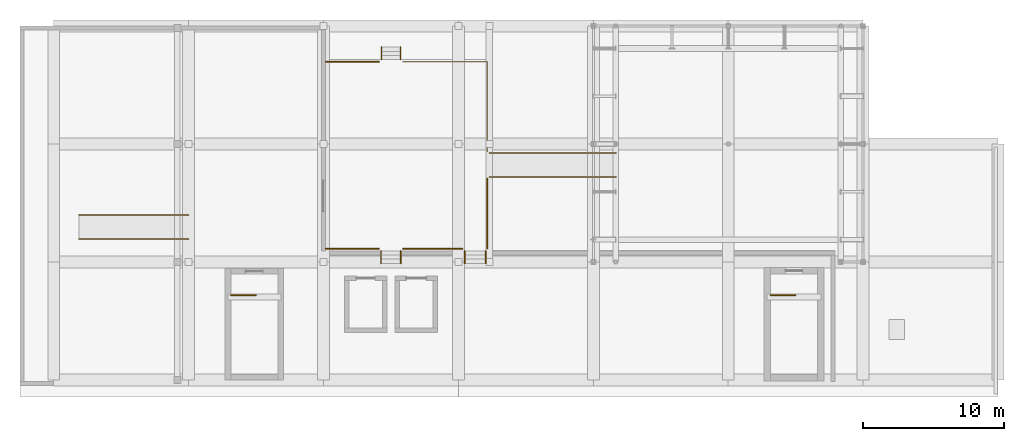
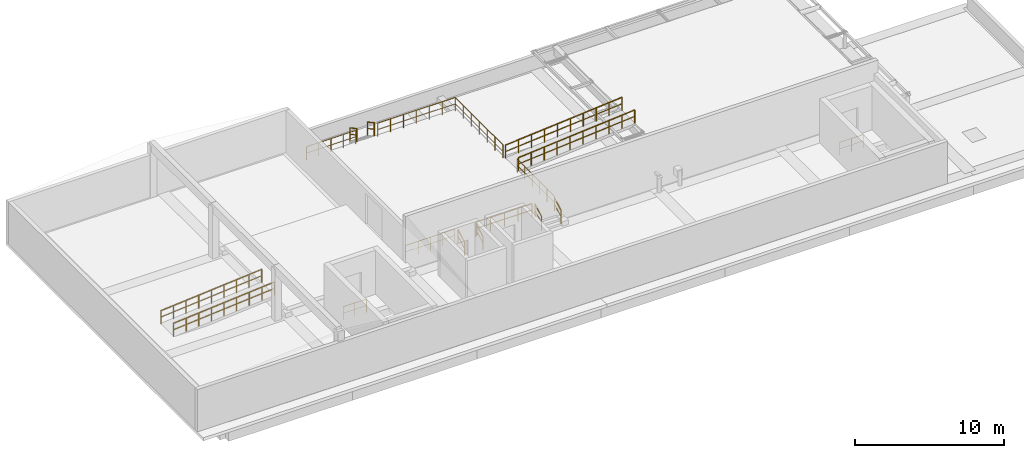
# One storey, part 8 of 8: 17 railings.
"""IFC4 building model written with IfcOpenShell, lengths in metres."""

from ifc_helpers import new_model, si_unit, direction, frame, origin, origin_2d, place, context, subcontext, project, spatial, circle, extrude, material, type_object, element, save


model = new_model("IFC4")

# Units and contexts
model_context = context("Model", 3, precision=1e-05, world=origin(), true_north=direction((0.0, 1.0)))
body_context = subcontext(model_context, "Body", "Model", "MODEL_VIEW")
ifc_project = project(units=[si_unit("LENGTHUNIT", "METRE"), si_unit("AREAUNIT", "SQUARE_METRE"), si_unit("VOLUMEUNIT", "CUBIC_METRE"), si_unit("PLANEANGLEUNIT", "RADIAN"), si_unit("MASSUNIT", "GRAM", prefix="KILO")], contexts=[model_context])

# Site, building, storey
site_placement = place(None, origin())
site = spatial("IfcSite", under=ifc_project, at=site_placement, CompositionType="ELEMENT")
building_placement = place(site_placement, origin())
building = spatial("IfcBuilding", under=site, at=building_placement, Name="Oolite Switchyard Hospital", CompositionType="ELEMENT")
storey_placement = place(building_placement, frame((0.0, 0.0, 34.60009765625)))
storey = spatial("IfcBuildingStorey", under=building, at=storey_placement, Name="RF", CompositionType="ELEMENT", Elevation=34.60009765625)

# Railings
ifc_material_1 = material(Name="Galvanized painted architectural steel guardrail", Category="steel")
railing_type_1 = type_object("IfcRailingType", Name="RL-GUARD-110", PredefinedType="GUARDRAIL", material=ifc_material_1)
railing_1_placement = place(storey_placement, frame((163.35009765625, 131.85009765625, 0.64990234375)))
element("IfcRailing", 1, at=railing_1_placement, inside=storey, type_object=railing_type_1, Name="RF Terrace Perimeter Guard 11", PredefinedType="GUARDRAIL", context=body_context, shape_type="SweptSolid", body=[
    extrude(circle(Radius=0.02392578125, at=origin_2d()), frame((0.0, 0.0, 1.076171875), z_axis=(1.0, 0.0, 0.0), x_axis=(0.0, 1.0, 0.0)), (0.0, 0.0, 1.0), 3.7998046875),
    extrude(circle(Radius=0.015625, at=origin_2d()), frame((0.0, 0.0, 0.550048828125), z_axis=(1.0, 0.0, 0.0), x_axis=(0.0, 1.0, 0.0)), (0.0, 0.0, 1.0), 3.7998046875),
    extrude(circle(Radius=0.02099609375, at=origin_2d()), origin(), (0.0, 0.0, 1.0), 1.052001953125),
    extrude(circle(Radius=0.02099609375, at=origin_2d()), frame((0.949951171875, 0.0, 0.0)), (0.0, 0.0, 1.0), 1.052001953125),
    extrude(circle(Radius=0.02099609375, at=origin_2d()), frame((1.89990234375, 0.0, 0.0)), (0.0, 0.0, 1.0), 1.052001953125),
    extrude(circle(Radius=0.02099609375, at=origin_2d()), frame((2.849853515625, 0.0, 0.0)), (0.0, 0.0, 1.0), 1.052001953125),
    extrude(circle(Radius=0.02099609375, at=origin_2d()), frame((3.7998046875, 0.0, 0.0)), (0.0, 0.0, 1.0), 1.052001953125),
])
railing_2_placement = place(storey_placement, frame((168.85009765625, 131.85009765625, 0.64990234375)))
element("IfcRailing", 2, at=railing_2_placement, inside=storey, type_object=railing_type_1, Name="RF Terrace Perimeter Guard 12", PredefinedType="GUARDRAIL", context=body_context, shape_type="SweptSolid", body=[
    extrude(circle(Radius=0.02392578125, at=origin_2d()), frame((0.0, 0.0, 1.076171875), z_axis=(1.0, 0.0, 0.0), x_axis=(0.0, 1.0, 0.0)), (0.0, 0.0, 1.0), 6.0),
    extrude(circle(Radius=0.015625, at=origin_2d()), frame((0.0, 0.0, 0.550048828125), z_axis=(1.0, 0.0, 0.0), x_axis=(0.0, 1.0, 0.0)), (0.0, 0.0, 1.0), 6.0),
    extrude(circle(Radius=0.02392578125, at=origin_2d()), frame((6.0, 0.0, 1.076171875), z_axis=(0.0, -1.0, 0.0), x_axis=(1.0, 0.0, 0.0)), (0.0, 0.0, 1.0), 6.400146484375),
    extrude(circle(Radius=0.015625, at=origin_2d()), frame((6.0, 0.0, 0.550048828125), z_axis=(0.0, -1.0, 0.0), x_axis=(1.0, 0.0, 0.0)), (0.0, 0.0, 1.0), 6.400146484375),
    extrude(circle(Radius=0.02099609375, at=origin_2d()), origin(), (0.0, 0.0, 1.0), 1.052001953125),
    extrude(circle(Radius=0.02099609375, at=origin_2d()), frame((1.0, 0.0, 0.0)), (0.0, 0.0, 1.0), 1.052001953125),
    extrude(circle(Radius=0.02099609375, at=origin_2d()), frame((2.0, 0.0, 0.0)), (0.0, 0.0, 1.0), 1.052001953125),
    extrude(circle(Radius=0.02099609375, at=origin_2d()), frame((3.0, 0.0, 0.0)), (0.0, 0.0, 1.0), 1.052001953125),
    extrude(circle(Radius=0.02099609375, at=origin_2d()), frame((4.0, 0.0, 0.0)), (0.0, 0.0, 1.0), 1.052001953125),
    extrude(circle(Radius=0.02099609375, at=origin_2d()), frame((5.0, 0.0, 0.0)), (0.0, 0.0, 1.0), 1.052001953125),
    extrude(circle(Radius=0.02099609375, at=origin_2d()), frame((6.0, 0.0, 0.0)), (0.0, 0.0, 1.0), 1.052001953125),
    extrude(circle(Radius=0.02099609375, at=origin_2d()), frame((6.0, -1.066650390625, 0.0)), (0.0, 0.0, 1.0), 1.052001953125),
    extrude(circle(Radius=0.02099609375, at=origin_2d()), frame((6.0, -2.13330078125, 0.0)), (0.0, 0.0, 1.0), 1.052001953125),
    extrude(circle(Radius=0.02099609375, at=origin_2d()), frame((6.0, -3.2001953125, 0.0)), (0.0, 0.0, 1.0), 1.052001953125),
    extrude(circle(Radius=0.02099609375, at=origin_2d()), frame((6.0, -4.266845703125, 0.0)), (0.0, 0.0, 1.0), 1.052001953125),
    extrude(circle(Radius=0.02099609375, at=origin_2d()), frame((6.0, -5.33349609375, 0.0)), (0.0, 0.0, 1.0), 1.052001953125),
    extrude(circle(Radius=0.02099609375, at=origin_2d()), frame((6.0, -6.400146484375, 0.0)), (0.0, 0.0, 1.0), 1.052001953125),
])
railing_3_placement = place(storey_placement, frame((174.85009765625, 123.550048828125, 0.64990234375)))
element("IfcRailing", 3, at=railing_3_placement, inside=storey, type_object=railing_type_1, Name="RF Terrace Perimeter Guard 13", PredefinedType="GUARDRAIL", context=body_context, shape_type="SweptSolid", body=[
    extrude(circle(Radius=0.02392578125, at=origin_2d()), frame((0.0, 0.0, 1.076171875), z_axis=(0.0, -1.0, 0.0), x_axis=(1.0, 0.0, 0.0)), (0.0, 0.0, 1.0), 5.0),
    extrude(circle(Radius=0.015625, at=origin_2d()), frame((0.0, 0.0, 0.550048828125), z_axis=(0.0, -1.0, 0.0), x_axis=(1.0, 0.0, 0.0)), (0.0, 0.0, 1.0), 5.0),
    extrude(circle(Radius=0.02099609375, at=origin_2d()), origin(), (0.0, 0.0, 1.0), 1.052001953125),
    extrude(circle(Radius=0.02099609375, at=origin_2d()), frame((0.0, -1.0, 0.0)), (0.0, 0.0, 1.0), 1.052001953125),
    extrude(circle(Radius=0.02099609375, at=origin_2d()), frame((0.0, -2.0, 0.0)), (0.0, 0.0, 1.0), 1.052001953125),
    extrude(circle(Radius=0.02099609375, at=origin_2d()), frame((0.0, -3.0, 0.0)), (0.0, 0.0, 1.0), 1.052001953125),
    extrude(circle(Radius=0.02099609375, at=origin_2d()), frame((0.0, -4.0, 0.0)), (0.0, 0.0, 1.0), 1.052001953125),
    extrude(circle(Radius=0.02099609375, at=origin_2d()), frame((0.0, -5.0, 0.0)), (0.0, 0.0, 1.0), 1.052001953125),
])
railing_4_placement = place(storey_placement, frame((173.10009765625, 118.550048828125, 0.64990234375)))
element("IfcRailing", 4, at=railing_4_placement, inside=storey, type_object=railing_type_1, Name="RF Terrace Perimeter Guard 14", PredefinedType="GUARDRAIL", context=body_context, shape_type="SweptSolid", body=[
    extrude(circle(Radius=0.02392578125, at=origin_2d()), frame((0.0, 0.0, 1.076171875), z_axis=(-1.0, 0.0, 0.0), x_axis=(0.0, -1.0, 0.0)), (0.0, 0.0, 1.0), 4.25),
    extrude(circle(Radius=0.015625, at=origin_2d()), frame((0.0, 0.0, 0.550048828125), z_axis=(-1.0, 0.0, 0.0), x_axis=(0.0, -1.0, 0.0)), (0.0, 0.0, 1.0), 4.25),
    extrude(circle(Radius=0.02099609375, at=origin_2d()), origin(), (0.0, 0.0, 1.0), 1.052001953125),
    extrude(circle(Radius=0.02099609375, at=origin_2d()), frame((-1.0625, 0.0, 0.0)), (0.0, 0.0, 1.0), 1.052001953125),
    extrude(circle(Radius=0.02099609375, at=origin_2d()), frame((-2.125, 0.0, 0.0)), (0.0, 0.0, 1.0), 1.052001953125),
    extrude(circle(Radius=0.02099609375, at=origin_2d()), frame((-3.1875, 0.0, 0.0)), (0.0, 0.0, 1.0), 1.052001953125),
    extrude(circle(Radius=0.02099609375, at=origin_2d()), frame((-4.25, 0.0, 0.0)), (0.0, 0.0, 1.0), 1.052001953125),
])
railing_5_placement = place(storey_placement, frame((167.14990234375, 118.550048828125, 0.64990234375)))
element("IfcRailing", 5, at=railing_5_placement, inside=storey, type_object=railing_type_1, Name="RF Terrace Perimeter Guard 15", PredefinedType="GUARDRAIL", context=body_context, shape_type="SweptSolid", body=[
    extrude(circle(Radius=0.02392578125, at=origin_2d()), frame((0.0, 0.0, 1.076171875), z_axis=(-1.0, 0.0, 0.0), x_axis=(0.0, -1.0, 0.0)), (0.0, 0.0, 1.0), 3.7998046875),
    extrude(circle(Radius=0.015625, at=origin_2d()), frame((0.0, 0.0, 0.550048828125), z_axis=(-1.0, 0.0, 0.0), x_axis=(0.0, -1.0, 0.0)), (0.0, 0.0, 1.0), 3.7998046875),
    extrude(circle(Radius=0.02099609375, at=origin_2d()), origin(), (0.0, 0.0, 1.0), 1.052001953125),
    extrude(circle(Radius=0.02099609375, at=origin_2d()), frame((-0.949951171875, 0.0, 0.0)), (0.0, 0.0, 1.0), 1.052001953125),
    extrude(circle(Radius=0.02099609375, at=origin_2d()), frame((-1.89990234375, 0.0, 0.0)), (0.0, 0.0, 1.0), 1.052001953125),
    extrude(circle(Radius=0.02099609375, at=origin_2d()), frame((-2.849853515625, 0.0, 0.0)), (0.0, 0.0, 1.0), 1.052001953125),
    extrude(circle(Radius=0.02099609375, at=origin_2d()), frame((-3.7998046875, 0.0, 0.0)), (0.0, 0.0, 1.0), 1.052001953125),
])
ifc_material_2 = material(Name="Galvanized painted architectural steel handrail", Category="steel")
railing_type_2 = type_object("IfcRailingType", Name="RL-STAIR-GRD", PredefinedType="GUARDRAIL", material=ifc_material_2)
railing_6_placement = place(storey_placement, frame((156.60009765625, 115.239990234375, 0.0)))
element("IfcRailing", 6, at=railing_6_placement, inside=storey, type_object=railing_type_2, Name="RF ST-03 top well guard 1", PredefinedType="GUARDRAIL", context=body_context, shape_type="SweptSolid", body=[
    extrude(circle(Radius=0.02392578125, at=origin_2d()), frame((0.0, 0.0, 1.076171875), z_axis=(1.0, 0.0, 0.0), x_axis=(0.0, 1.0, 0.0)), (0.0, 0.0, 1.0), 1.7998046875),
    extrude(circle(Radius=0.015625, at=origin_2d()), frame((0.0, 0.0, 0.550048828125), z_axis=(1.0, 0.0, 0.0), x_axis=(0.0, 1.0, 0.0)), (0.0, 0.0, 1.0), 1.7998046875),
    extrude(circle(Radius=0.02099609375, at=origin_2d()), origin(), (0.0, 0.0, 1.0), 1.052001953125),
    extrude(circle(Radius=0.02099609375, at=origin_2d()), frame((0.89990234375, 0.0, 0.0)), (0.0, 0.0, 1.0), 1.052001953125),
    extrude(circle(Radius=0.02099609375, at=origin_2d()), frame((1.7998046875, 0.0, 0.0)), (0.0, 0.0, 1.0), 1.052001953125),
])
railing_7_placement = place(storey_placement, frame((195.0, 115.239990234375, 0.0)))
element("IfcRailing", 7, at=railing_7_placement, inside=storey, type_object=railing_type_2, Name="RF ST-04 top well guard 1", PredefinedType="GUARDRAIL", context=body_context, shape_type="SweptSolid", body=[
    extrude(circle(Radius=0.02392578125, at=origin_2d()), frame((0.0, 0.0, 1.076171875), z_axis=(1.0, 0.0, 0.0), x_axis=(0.0, 1.0, 0.0)), (0.0, 0.0, 1.0), 1.800048828125),
    extrude(circle(Radius=0.015625, at=origin_2d()), frame((0.0, 0.0, 0.550048828125), z_axis=(1.0, 0.0, 0.0), x_axis=(0.0, 1.0, 0.0)), (0.0, 0.0, 1.0), 1.800048828125),
    extrude(circle(Radius=0.02099609375, at=origin_2d()), origin(), (0.0, 0.0, 1.0), 1.052001953125),
    extrude(circle(Radius=0.02099609375, at=origin_2d()), frame((0.89990234375, 0.0, 0.0)), (0.0, 0.0, 1.0), 1.052001953125),
    extrude(circle(Radius=0.02099609375, at=origin_2d()), frame((1.800048828125, 0.0, 0.0)), (0.0, 0.0, 1.0), 1.052001953125),
])
for number, where, name in (
    (8, (168.699951171875, 117.5, 0.161865234375), "ST-M03 Guard L"),
    (9, (167.300048828125, 117.5, 0.161865234375), "ST-M03 Guard R"),
    (10, (174.75, 117.5, 0.161865234375), "ST-M04 Guard L"),
    (11, (173.25, 117.5, 0.161865234375), "ST-M04 Guard R"),
):
    element("IfcRailing", number, at=place(storey_placement, frame(where)), inside=storey, type_object=railing_type_2, Name=name, PredefinedType="GUARDRAIL", context=body_context, shape_type="SweptSolid", body=[
        extrude(circle(Radius=0.02392578125, at=origin_2d()), frame((0.0, 0.0, 1.076171875), z_axis=(0.0, 0.879050489037, 0.476728683555), x_axis=(-1.0, 0.0, 0.0)), (0.0, 0.0, 1.0), 1.023681640625),
        extrude(circle(Radius=0.015625, at=origin_2d()), frame((0.0, 0.0, 0.550048828125), z_axis=(0.0, 0.879050489037, 0.476728683555), x_axis=(-1.0, 0.0, 0.0)), (0.0, 0.0, 1.0), 1.023681640625),
        extrude(circle(Radius=0.02099609375, at=origin_2d()), origin(), (0.0, 0.0, 1.0), 1.052001953125),
        extrude(circle(Radius=0.02099609375, at=origin_2d()), frame((0.0, 0.89990234375, 0.488037109375)), (0.0, 0.0, 1.0), 1.052001953125),
    ])
for number, where, name in (
    (12, (167.324951171875, 132.89990234375, 0.161865234375), "ST-M05 Guard L"),
    (13, (168.675048828125, 132.89990234375, 0.161865234375), "ST-M05 Guard R"),
):
    element("IfcRailing", number, at=place(storey_placement, frame(where)), inside=storey, type_object=railing_type_2, Name=name, PredefinedType="GUARDRAIL", context=body_context, shape_type="SweptSolid", body=[
        extrude(circle(Radius=0.02392578125, at=origin_2d()), frame((0.0, 0.0, 1.076171875), z_axis=(0.0, -0.879050489037, 0.476728683555), x_axis=(1.0, 0.0, 0.0)), (0.0, 0.0, 1.0), 1.023681640625),
        extrude(circle(Radius=0.015625, at=origin_2d()), frame((0.0, 0.0, 0.550048828125), z_axis=(0.0, -0.879050489037, 0.476728683555), x_axis=(1.0, 0.0, 0.0)), (0.0, 0.0, 1.0), 1.023681640625),
        extrude(circle(Radius=0.02099609375, at=origin_2d()), origin(), (0.0, 0.0, 1.0), 1.052001953125),
        extrude(circle(Radius=0.02099609375, at=origin_2d()), frame((0.0, -0.89990234375, 0.488037109375)), (0.0, 0.0, 1.0), 1.052001953125),
    ])
for number, where, name in (
    (14, (175.0, 123.64990234375, 0.64990234375), "RMP-RF-01 Guard L"),
    (15, (175.0, 125.35009765625, 0.64990234375), "RMP-RF-01 Guard R"),
):
    element("IfcRailing", number, at=place(storey_placement, frame(where)), inside=storey, type_object=railing_type_2, Name=name, PredefinedType="GUARDRAIL", context=body_context, shape_type="SweptSolid", body=[
        extrude(circle(Radius=0.02392578125, at=origin_2d()), frame((0.0, 0.0, 1.076171875), z_axis=(0.996545758245, 0.0, 0.083045479854), x_axis=(0.0, 1.0, 0.0)), (0.0, 0.0, 1.0), 9.03125),
        extrude(circle(Radius=0.015625, at=origin_2d()), frame((0.0, 0.0, 0.550048828125), z_axis=(0.996545758245, 0.0, 0.083045479854), x_axis=(0.0, 1.0, 0.0)), (0.0, 0.0, 1.0), 9.03125),
        extrude(circle(Radius=0.02099609375, at=origin_2d()), origin(), (0.0, 0.0, 1.0), 1.052001953125),
        extrude(circle(Radius=0.02099609375, at=origin_2d()), frame((1.0, 0.0, 0.083251953125)), (0.0, 0.0, 1.0), 1.052001953125),
        extrude(circle(Radius=0.02099609375, at=origin_2d()), frame((2.0, 0.0, 0.166748046875)), (0.0, 0.0, 1.0), 1.052001953125),
        extrude(circle(Radius=0.02099609375, at=origin_2d()), frame((3.0, 0.0, 0.25)), (0.0, 0.0, 1.0), 1.052001953125),
        extrude(circle(Radius=0.02099609375, at=origin_2d()), frame((4.0, 0.0, 0.333251953125)), (0.0, 0.0, 1.0), 1.052001953125),
        extrude(circle(Radius=0.02099609375, at=origin_2d()), frame((5.0, 0.0, 0.416748046875)), (0.0, 0.0, 1.0), 1.052001953125),
        extrude(circle(Radius=0.02099609375, at=origin_2d()), frame((6.0, 0.0, 0.5)), (0.0, 0.0, 1.0), 1.052001953125),
        extrude(circle(Radius=0.02099609375, at=origin_2d()), frame((7.0, 0.0, 0.583251953125)), (0.0, 0.0, 1.0), 1.052001953125),
        extrude(circle(Radius=0.02099609375, at=origin_2d()), frame((8.0, 0.0, 0.666748046875)), (0.0, 0.0, 1.0), 1.052001953125),
        extrude(circle(Radius=0.02099609375, at=origin_2d()), frame((9.0, 0.0, 0.75)), (0.0, 0.0, 1.0), 1.052001953125),
    ])
for number, where, name in (
    (16, (145.800048828125, 119.25, 0.0), "RMP-RF-02 Guard L"),
    (17, (145.800048828125, 120.949951171875, 0.0), "RMP-RF-02 Guard R"),
):
    element("IfcRailing", number, at=place(storey_placement, frame(where)), inside=storey, type_object=railing_type_2, Name=name, PredefinedType="GUARDRAIL", context=body_context, shape_type="SweptSolid", body=[
        extrude(circle(Radius=0.02392578125, at=origin_2d()), frame((0.0, 0.0, 1.076171875), z_axis=(0.996546833741, 0.0, 0.083032572895), x_axis=(0.0, 1.0, 0.0)), (0.0, 0.0, 1.0), 7.8271484375),
        extrude(circle(Radius=0.015625, at=origin_2d()), frame((0.0, 0.0, 0.550048828125), z_axis=(0.996546833741, 0.0, 0.083032572895), x_axis=(0.0, 1.0, 0.0)), (0.0, 0.0, 1.0), 7.8271484375),
        extrude(circle(Radius=0.02099609375, at=origin_2d()), origin(), (0.0, 0.0, 1.0), 1.052001953125),
        extrude(circle(Radius=0.02099609375, at=origin_2d()), frame((0.97509765625, 0.0, 0.081298828125)), (0.0, 0.0, 1.0), 1.052001953125),
        extrude(circle(Radius=0.02099609375, at=origin_2d()), frame((1.949951171875, 0.0, 0.16259765625)), (0.0, 0.0, 1.0), 1.052001953125),
        extrude(circle(Radius=0.02099609375, at=origin_2d()), frame((2.925048828125, 0.0, 0.24365234375)), (0.0, 0.0, 1.0), 1.052001953125),
        extrude(circle(Radius=0.02099609375, at=origin_2d()), frame((3.89990234375, 0.0, 0.324951171875)), (0.0, 0.0, 1.0), 1.052001953125),
        extrude(circle(Radius=0.02099609375, at=origin_2d()), frame((4.875, 0.0, 0.40625)), (0.0, 0.0, 1.0), 1.052001953125),
        extrude(circle(Radius=0.02099609375, at=origin_2d()), frame((5.85009765625, 0.0, 0.4873046875)), (0.0, 0.0, 1.0), 1.052001953125),
        extrude(circle(Radius=0.02099609375, at=origin_2d()), frame((6.824951171875, 0.0, 0.568603515625)), (0.0, 0.0, 1.0), 1.052001953125),
        extrude(circle(Radius=0.02099609375, at=origin_2d()), frame((7.800048828125, 0.0, 0.64990234375)), (0.0, 0.0, 1.0), 1.052001953125),
    ])

save(model, "model.ifc")
